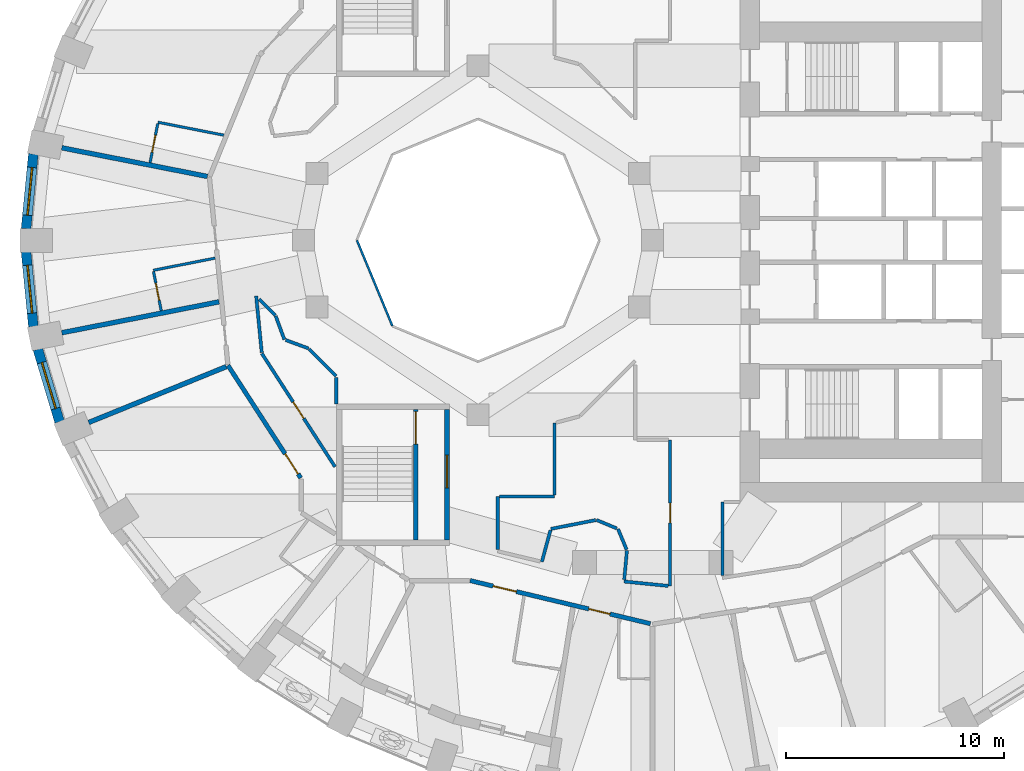
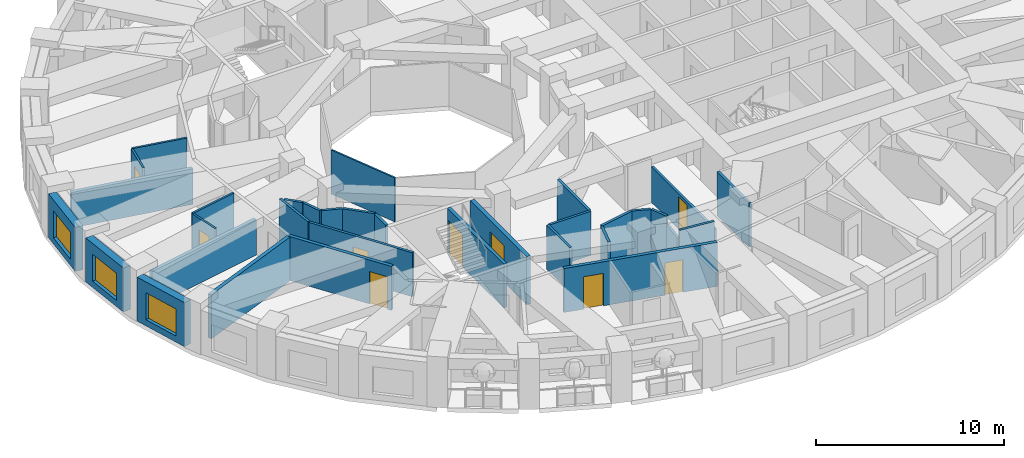
# One storey, part 4 of 13: 33 walls, 9 doors, 3 windows, 12 openings.
"""IFC4 building model written with IfcOpenShell, lengths in metres."""

from ifc_helpers import new_model, si_unit, direction, frame, frame_2d, origin, place, context, subcontext, project, spatial, rectangle, extrude, material, layer, layer_set, type_object, element, fill, save


model = new_model("IFC4")

# Units and contexts
model_context = context("Model", 3, precision=1e-05, world=origin(), true_north=direction((0.0, 1.0)))
body_context = subcontext(model_context, "Body", "Model", "MODEL_VIEW")
ifc_project = project(units=[si_unit("LENGTHUNIT", "METRE"), si_unit("AREAUNIT", "SQUARE_METRE"), si_unit("VOLUMEUNIT", "CUBIC_METRE"), si_unit("PLANEANGLEUNIT", "RADIAN"), si_unit("MASSUNIT", "GRAM", prefix="KILO")], contexts=[model_context])

# Site, building, storey
site_placement = place(None, origin())
site = spatial("IfcSite", under=ifc_project, at=site_placement, CompositionType="ELEMENT")
building_placement = place(site_placement, origin())
building = spatial("IfcBuilding", under=site, at=building_placement, Name="Taillehof Tower", CompositionType="ELEMENT")
storey_placement = place(building_placement, frame((0.0, 0.0, 81.10009765625)))
storey = spatial("IfcBuildingStorey", under=building, at=storey_placement, Name="L22", CompositionType="ELEMENT", Elevation=81.10009765625)

# Wall
ifc_material_1 = material(Name="Fire-resisting glass in steel frame", Category="steel")
ifc_layer_1 = layer(ifc_material_1, 0.10009765625)
ifc_layer_set_1 = layer_set([ifc_layer_1], Name="Atrium fire-resisting screen EI 60 100")
wall_type_1 = type_object("IfcWallType", Name="Atrium fire-resisting screen EI 60 100", PredefinedType="PARTITIONING", material=ifc_layer_set_1)
wall_1_placement = place(storey_placement, frame((-11.92724609375, -3.92724609375, 0.0), z_axis=(0.0, 0.0, 1.0), x_axis=(-0.382730523909, 0.923860025149, 0.0)))
element("IfcWall", 1, at=wall_1_placement, inside=storey, type_object=wall_type_1, Name="Atrium screen", PredefinedType="PARTITIONING", context=body_context, shape_type="SweptSolid", body=[
    extrude(rectangle(XDim=4.2509765625, YDim=0.10009765625, at=frame_2d((2.12548828125, 0.0))), origin(), (0.0, 0.0, 1.0), 2.849853515625),
])

# Wall, opening, window
ifc_material_2 = material(Name="Brick masonry", Category="masonry")
ifc_layer_2 = layer(ifc_material_2, 0.449951171875)
ifc_layer_set_2 = layer_set([ifc_layer_2], Name="Brick infill wall 450")
wall_type_2 = type_object("IfcWallType", Name="Brick infill wall 450", PredefinedType="SOLIDWALL", material=ifc_layer_set_2)
wall_2_placement = place(storey_placement, frame((-28.38671875, 3.95556640625, 0.0), z_axis=(0.0, 0.0, 1.0), x_axis=(-0.097389581596, -0.995246336038, 0.0)))
wall_2 = element("IfcWall", 2, at=wall_2_placement, inside=storey, type_object=wall_type_2, Name="Brick wall L22 bay 18", PredefinedType="SOLIDWALL", context=body_context, shape_type="SweptSolid", body=[
    extrude(rectangle(XDim=3.44189453125, YDim=0.449951171875, at=frame_2d((1.720947265625, 0.0))), origin(), (0.0, 0.0, 1.0), 2.849853515625),
])
opening_1_placement = place(wall_2_placement, frame((0.62109375, 0.0, 0.39990234375)))
opening_1 = element("IfcOpeningElement", 3, at=opening_1_placement, cuts=wall_2, Name="Opening W1", PredefinedType="OPENING", context=body_context, shape_type="SweptSolid", body=[
    extrude(rectangle(XDim=2.199951171875, YDim=1.75, at=frame_2d((1.10009765625, 0.875))), frame((0.0, 0.23486328125, 0.0), z_axis=(0.0, -1.0, 0.0), x_axis=(1.0, 0.0, 0.0)), (0.0, 0.0, 1.0), 0.469970703125),
])
ifc_material_3 = material(Name="Aluminium window frame with clear double glazing", Category="aluminium")
window_type = type_object("IfcWindowType", Name="Deep-set window 2200x1750", PartitioningType="SINGLE_PANEL", PredefinedType="WINDOW", material=ifc_material_3)
window_1_placement = place(opening_1_placement, origin())
window_1 = element("IfcWindow", 4, at=window_1_placement, inside=storey, type_object=window_type, Name="W1", OverallHeight=1.75, OverallWidth=2.199951171875, PartitioningType="SINGLE_PANEL", PredefinedType="WINDOW", context=body_context, shape_type="SweptSolid", body=[
    extrude(rectangle(XDim=2.199951171875, YDim=1.75, at=frame_2d((1.10009765625, 0.875))), frame((0.0, 0.034912109375, 0.0), z_axis=(0.0, -1.0, 0.0), x_axis=(1.0, 0.0, 0.0)), (0.0, 0.0, 1.0), 0.06005859375),
])
fill(opening_1, window_1)

wall_3_placement = place(storey_placement, frame((-28.721923828125, -0.530029296875, 0.0), z_axis=(0.0, 0.0, 1.0), x_axis=(0.097389581596, -0.995246336038, 0.0)))
wall_3 = element("IfcWall", 5, at=wall_3_placement, inside=storey, type_object=wall_type_2, Name="Brick wall L22 bay 19", PredefinedType="SOLIDWALL", context=body_context, shape_type="SweptSolid", body=[
    extrude(rectangle(XDim=3.44189453125, YDim=0.449951171875, at=frame_2d((1.720947265625, 0.0))), origin(), (0.0, 0.0, 1.0), 2.849853515625),
])
opening_2_placement = place(wall_3_placement, frame((0.62109375, 0.0, 0.39990234375)))
opening_2 = element("IfcOpeningElement", 6, at=opening_2_placement, cuts=wall_3, Name="Opening W1", PredefinedType="OPENING", context=body_context, shape_type="SweptSolid", body=[
    extrude(rectangle(XDim=2.199951171875, YDim=1.75, at=frame_2d((1.10009765625, 0.875))), frame((0.0, 0.23486328125, 0.0), z_axis=(0.0, -1.0, 0.0), x_axis=(1.0, 0.0, 0.0)), (0.0, 0.0, 1.0), 0.469970703125),
])
window_2_placement = place(opening_2_placement, origin())
window_2 = element("IfcWindow", 7, at=window_2_placement, inside=storey, type_object=window_type, Name="W1", OverallHeight=1.75, OverallWidth=2.199951171875, PartitioningType="SINGLE_PANEL", PredefinedType="WINDOW", context=body_context, shape_type="SweptSolid", body=[
    extrude(rectangle(XDim=2.199951171875, YDim=1.75, at=frame_2d((1.10009765625, 0.875))), frame((0.0, 0.034912109375, 0.0), z_axis=(0.0, -1.0, 0.0), x_axis=(1.0, 0.0, 0.0)), (0.0, 0.0, 1.0), 0.06005859375),
])
fill(opening_2, window_2)

wall_4_placement = place(storey_placement, frame((-28.181884765625, -4.995849609375, 0.0), z_axis=(0.0, 0.0, 1.0), x_axis=(0.287064133733, -0.957911364963, 0.0)))
wall_4 = element("IfcWall", 8, at=wall_4_placement, inside=storey, type_object=wall_type_2, Name="Brick wall L22 bay 20", PredefinedType="SOLIDWALL", context=body_context, shape_type="SweptSolid", body=[
    extrude(rectangle(XDim=3.473388671875, YDim=0.449951171875, at=frame_2d((1.73681640625, 0.0))), origin(), (0.0, 0.0, 1.0), 2.849853515625),
])
opening_3_placement = place(wall_4_placement, frame((0.63671875, 0.0, 0.39990234375)))
opening_3 = element("IfcOpeningElement", 9, at=opening_3_placement, cuts=wall_4, Name="Opening W1", PredefinedType="OPENING", context=body_context, shape_type="SweptSolid", body=[
    extrude(rectangle(XDim=2.199951171875, YDim=1.75, at=frame_2d((1.10009765625, 0.875))), frame((0.0, 0.23486328125, 0.0), z_axis=(0.0, -1.0, 0.0), x_axis=(1.0, 0.0, 0.0)), (0.0, 0.0, 1.0), 0.469970703125),
])
window_3_placement = place(opening_3_placement, origin())
window_3 = element("IfcWindow", 10, at=window_3_placement, inside=storey, type_object=window_type, Name="W1", OverallHeight=1.75, OverallWidth=2.199951171875, PartitioningType="SINGLE_PANEL", PredefinedType="WINDOW", context=body_context, shape_type="SweptSolid", body=[
    extrude(rectangle(XDim=2.199951171875, YDim=1.75, at=frame_2d((1.10009765625, 0.875))), frame((0.0, 0.034912109375, 0.0), z_axis=(0.0, -1.0, 0.0), x_axis=(1.0, 0.0, 0.0)), (0.0, 0.0, 1.0), 0.06005859375),
])
fill(opening_3, window_3)

# Wall, opening, door
ifc_material_4 = material(Name="Gypsum board on steel studs, two layers each side", Category="steel")
ifc_layer_3 = layer(ifc_material_4, 0.199951171875)
ifc_layer_set_3 = layer_set([ifc_layer_3], Name="Compartment wall corridor 200")
wall_type_3 = type_object("IfcWallType", Name="Compartment wall corridor 200", PredefinedType="PARTITIONING", material=ifc_layer_set_3)
wall_5_placement = place(storey_placement, frame((-16.13232421875, -10.894775390625, 0.0), z_axis=(0.0, 0.0, 1.0), x_axis=(-0.54275375647, 0.839891873897, 0.0)))
wall_5 = element("IfcWall", 11, at=wall_5_placement, inside=storey, type_object=wall_type_3, Name="Compartment wall", PredefinedType="PARTITIONING", context=body_context, shape_type="SweptSolid", body=[
    extrude(rectangle(XDim=6.145751953125, YDim=0.199951171875, at=frame_2d((3.07275390625, 0.0))), origin(), (0.0, 0.0, 1.0), 2.849853515625),
])
opening_4_placement = place(wall_5_placement, frame((0.219970703125, 0.0, 0.0)))
opening_4 = element("IfcOpeningElement", 12, at=opening_4_placement, cuts=wall_5, Name="Opening D2253", PredefinedType="OPENING", context=body_context, shape_type="SweptSolid", body=[
    extrude(rectangle(XDim=1.10009765625, YDim=2.10009765625, at=frame_2d((0.550048828125, 1.050048828125))), frame((0.0, 0.10986328125, 0.0), z_axis=(0.0, -1.0, 0.0), x_axis=(1.0, 0.0, 0.0)), (0.0, 0.0, 1.0), 0.219970703125),
])
ifc_material_5 = material(Name="Timber door leaf in steel frame", Category="steel")
door_type_1 = type_object("IfcDoorType", Name="Suite entrance door EI 30 1100 x 2100", OperationType="SINGLE_SWING_LEFT", PredefinedType="DOOR", material=ifc_material_5)
door_1_placement = place(opening_4_placement, origin())
door_1 = element("IfcDoor", 13, at=door_1_placement, inside=storey, type_object=door_type_1, Name="D2253", OperationType="SINGLE_SWING_LEFT", OverallHeight=2.10009765625, OverallWidth=1.10009765625, PredefinedType="DOOR", context=body_context, shape_type="SweptSolid", body=[
    extrude(rectangle(XDim=1.10009765625, YDim=2.10009765625, at=frame_2d((0.550048828125, 1.050048828125))), frame((0.0, 0.02490234375, 0.0), z_axis=(0.0, -1.0, 0.0), x_axis=(1.0, 0.0, 0.0)), (0.0, 0.0, 1.0), 0.050048828125),
])
fill(opening_4, door_1)

# Wall, openings, doors
wall_6_placement = place(storey_placement, frame((-0.09765625, -17.576904296875, 0.0), z_axis=(0.0, 0.0, 1.0), x_axis=(-0.972591034443, 0.232522428425, 0.0)))
wall_6 = element("IfcWall", 14, at=wall_6_placement, inside=storey, type_object=wall_type_3, Name="Compartment wall", PredefinedType="PARTITIONING", context=body_context, shape_type="SweptSolid", body=[
    extrude(rectangle(XDim=8.50146484375, YDim=0.199951171875, at=frame_2d((4.250732421875, 0.0))), origin(), (0.0, 0.0, 1.0), 2.849853515625),
])
opening_5_placement = place(wall_6_placement, frame((6.317626953125, 0.0, 0.0)))
opening_5 = element("IfcOpeningElement", 15, at=opening_5_placement, cuts=wall_6, Name="Opening D2256", PredefinedType="OPENING", context=body_context, shape_type="SweptSolid", body=[
    extrude(rectangle(XDim=1.10009765625, YDim=2.10009765625, at=frame_2d((0.550048828125, 1.050048828125))), frame((0.0, 0.10986328125, 0.0), z_axis=(0.0, -1.0, 0.0), x_axis=(1.0, 0.0, 0.0)), (0.0, 0.0, 1.0), 0.219970703125),
])
opening_6_placement = place(wall_6_placement, frame((1.909423828125, 0.0, 0.0)))
opening_6 = element("IfcOpeningElement", 16, at=opening_6_placement, cuts=wall_6, Name="Opening D2258", PredefinedType="OPENING", context=body_context, shape_type="SweptSolid", body=[
    extrude(rectangle(XDim=1.0, YDim=2.10009765625, at=frame_2d((0.5, 1.050048828125))), frame((0.0, 0.10986328125, 0.0), z_axis=(0.0, -1.0, 0.0), x_axis=(1.0, 0.0, 0.0)), (0.0, 0.0, 1.0), 0.219970703125),
])
ifc_material_6 = material(Name="Timber door leaf in steel frame", Category="steel")
door_type_2 = type_object("IfcDoorType", Name="Accessible guest room door EI 30 1100 x 2100", OperationType="SINGLE_SWING_LEFT", PredefinedType="DOOR", material=ifc_material_6)
door_2_placement = place(opening_5_placement, origin())
door_2 = element("IfcDoor", 17, at=door_2_placement, inside=storey, type_object=door_type_2, Name="D2256", OperationType="SINGLE_SWING_LEFT", OverallHeight=2.10009765625, OverallWidth=1.10009765625, PredefinedType="DOOR", context=body_context, shape_type="SweptSolid", body=[
    extrude(rectangle(XDim=1.10009765625, YDim=2.10009765625, at=frame_2d((0.550048828125, 1.050048828125))), frame((0.0, 0.02490234375, 0.0), z_axis=(0.0, -1.0, 0.0), x_axis=(1.0, 0.0, 0.0)), (0.0, 0.0, 1.0), 0.050048828125),
])
fill(opening_5, door_2)
ifc_material_7 = material(Name="Timber door leaf in steel frame", Category="steel")
door_type_3 = type_object("IfcDoorType", Name="Guest room door EI 30 1000 x 2100", OperationType="SINGLE_SWING_LEFT", PredefinedType="DOOR", material=ifc_material_7)
door_3_placement = place(opening_6_placement, origin())
door_3 = element("IfcDoor", 18, at=door_3_placement, inside=storey, type_object=door_type_3, Name="D2258", OperationType="SINGLE_SWING_LEFT", OverallHeight=2.10009765625, OverallWidth=1.0, PredefinedType="DOOR", context=body_context, shape_type="SweptSolid", body=[
    extrude(rectangle(XDim=1.0, YDim=2.10009765625, at=frame_2d((0.5, 1.050048828125))), frame((0.0, 0.02490234375, 0.0), z_axis=(0.0, -1.0, 0.0), x_axis=(1.0, 0.0, 0.0)), (0.0, 0.0, 1.0), 0.050048828125),
])
fill(opening_6, door_3)

# Walls
ifc_material_8 = material(Name="Gypsum board on double steel studs with mineral wool", Category="steel")
ifc_layer_4 = layer(ifc_material_8, 0.219970703125)
ifc_layer_set_4 = layer_set([ifc_layer_4], Name="Compartment wall guest room 220")
wall_type_4 = type_object("IfcWallType", Name="Compartment wall guest room 220", PredefinedType="PARTITIONING", material=ifc_layer_set_4)
wall_7_placement = place(storey_placement, frame((-27.0849609375, 4.239990234375, 0.0), z_axis=(0.0, 0.0, 1.0), x_axis=(0.981200805451, -0.192989583608, 0.0)))
element("IfcWall", 19, at=wall_7_placement, inside=storey, type_object=wall_type_4, Name="Compartment wall", PredefinedType="PARTITIONING", context=body_context, shape_type="SweptSolid", body=[
    extrude(rectangle(XDim=6.8046875, YDim=0.219970703125, at=frame_2d((3.40234375, 0.0))), origin(), (0.0, 0.0, 1.0), 2.2998046875),
])
wall_8_placement = place(storey_placement, frame((-27.0849609375, -4.239990234375, 0.0), z_axis=(0.0, 0.0, 1.0), x_axis=(0.981198066788, 0.193003507042, 0.0)))
element("IfcWall", 20, at=wall_8_placement, inside=storey, type_object=wall_type_4, Name="Compartment wall", PredefinedType="PARTITIONING", context=body_context, shape_type="SweptSolid", body=[
    extrude(rectangle(XDim=7.34814453125, YDim=0.219970703125, at=frame_2d((3.674072265625, 0.0))), origin(), (0.0, 0.0, 1.0), 2.2998046875),
])
wall_9_placement = place(storey_placement, frame((-25.851318359375, -8.35400390625, 0.0), z_axis=(0.0, 0.0, 1.0), x_axis=(0.926556482368, 0.376155665892, 0.0)))
element("IfcWall", 21, at=wall_9_placement, inside=storey, type_object=wall_type_4, Name="Compartment wall", PredefinedType="PARTITIONING", context=body_context, shape_type="SweptSolid", body=[
    extrude(rectangle(XDim=6.803955078125, YDim=0.219970703125, at=frame_2d((3.40185546875, 0.0))), origin(), (0.0, 0.0, 1.0), 2.849853515625),
])

# Wall, opening, door
ifc_material_9 = material(Name="Gypsum board on steel studs, two layers each side", Category="steel")
ifc_layer_5 = layer(ifc_material_9, 0.14990234375)
ifc_layer_set_5 = layer_set([ifc_layer_5], Name="Compartment wall service room 150")
wall_type_5 = type_object("IfcWallType", Name="Compartment wall service room 150", PredefinedType="PARTITIONING", material=ifc_layer_set_5)
wall_10_placement = place(storey_placement, frame((-14.557373046875, -10.38427734375, 0.0), z_axis=(0.0, 0.0, 1.0), x_axis=(-0.542717528168, 0.839915284192, 0.0)))
wall_10 = element("IfcWall", 22, at=wall_10_placement, inside=storey, type_object=wall_type_5, Name="Compartment wall", PredefinedType="PARTITIONING", context=body_context, shape_type="SweptSolid", body=[
    extrude(rectangle(XDim=6.18408203125, YDim=0.14990234375, at=frame_2d((3.092041015625, 0.0))), origin(), (0.0, 0.0, 1.0), 2.849853515625),
])
opening_7_placement = place(wall_10_placement, frame((2.64208984375, 0.0, 0.0)))
opening_7 = element("IfcOpeningElement", 23, at=opening_7_placement, cuts=wall_10, Name="Opening D2271", PredefinedType="OPENING", context=body_context, shape_type="SweptSolid", body=[
    extrude(rectangle(XDim=0.89990234375, YDim=2.10009765625, at=frame_2d((0.449951171875, 1.050048828125))), frame((0.0, 0.0849609375, 0.0), z_axis=(0.0, -1.0, 0.0), x_axis=(1.0, 0.0, 0.0)), (0.0, 0.0, 1.0), 0.169921875),
])
ifc_material_10 = material(Name="Timber door leaf in steel frame", Category="steel")
door_type_4 = type_object("IfcDoorType", Name="Service room door EI 30 900 x 2100", OperationType="SINGLE_SWING_LEFT", PredefinedType="DOOR", material=ifc_material_10)
door_4_placement = place(opening_7_placement, origin())
door_4 = element("IfcDoor", 24, at=door_4_placement, inside=storey, type_object=door_type_4, Name="D2271", OperationType="SINGLE_SWING_LEFT", OverallHeight=2.10009765625, OverallWidth=0.89990234375, PredefinedType="DOOR", context=body_context, shape_type="SweptSolid", body=[
    extrude(rectangle(XDim=0.89990234375, YDim=2.10009765625, at=frame_2d((0.449951171875, 1.050048828125))), frame((0.0, 0.02490234375, 0.0), z_axis=(0.0, -1.0, 0.0), x_axis=(1.0, 0.0, 0.0)), (0.0, 0.0, 1.0), 0.050048828125),
])
fill(opening_7, door_4)

# Walls
wall_11_placement = place(storey_placement, frame((-17.91748046875, -5.150146484375, 0.0), z_axis=(0.0, 0.0, 1.0), x_axis=(-0.098011382053, 0.995185293796, 0.0)))
element("IfcWall", 25, at=wall_11_placement, inside=storey, type_object=wall_type_5, Name="Compartment wall", PredefinedType="PARTITIONING", context=body_context, shape_type="SweptSolid", body=[
    extrude(rectangle(XDim=2.60791015625, YDim=0.14990234375, at=frame_2d((1.303955078125, 0.0))), origin(), (0.0, 0.0, 1.0), 2.849853515625),
])
wall_12_placement = place(storey_placement, frame((-18.031494140625, -2.6962890625, 0.0), z_axis=(0.0, 0.0, 1.0), x_axis=(0.706990221924, -0.707223321239, 0.0)))
element("IfcWall", 26, at=wall_12_placement, inside=storey, type_object=wall_type_5, Name="Compartment wall", PredefinedType="PARTITIONING", context=body_context, shape_type="SweptSolid", body=[
    extrude(rectangle(XDim=1.04736328125, YDim=0.14990234375, at=frame_2d((0.523681640625, 0.0))), origin(), (0.0, 0.0, 1.0), 2.849853515625),
])
wall_13_placement = place(storey_placement, frame((-17.27734375, -3.474609375, 0.0), z_axis=(0.0, 0.0, 1.0), x_axis=(0.345498312946, -0.938419370938, 0.0)))
element("IfcWall", 27, at=wall_13_placement, inside=storey, type_object=wall_type_5, Name="Compartment wall", PredefinedType="PARTITIONING", context=body_context, shape_type="SweptSolid", body=[
    extrude(rectangle(XDim=1.1474609375, YDim=0.14990234375, at=frame_2d((0.57373046875, 0.0))), origin(), (0.0, 0.0, 1.0), 2.849853515625),
])
wall_14_placement = place(storey_placement, frame((-16.824462890625, -4.572021484375, 0.0), z_axis=(0.0, 0.0, 1.0), x_axis=(0.938465057683, -0.345374196355, 0.0)))
element("IfcWall", 28, at=wall_14_placement, inside=storey, type_object=wall_type_5, Name="Compartment wall", PredefinedType="PARTITIONING", context=body_context, shape_type="SweptSolid", body=[
    extrude(rectangle(XDim=1.12744140625, YDim=0.14990234375, at=frame_2d((0.563720703125, 0.0))), origin(), (0.0, 0.0, 1.0), 2.849853515625),
])
wall_15_placement = place(storey_placement, frame((-15.738037109375, -4.98974609375, 0.0), z_axis=(0.0, 0.0, 1.0), x_axis=(0.707037063979, -0.707176491521, 0.0)))
element("IfcWall", 29, at=wall_15_placement, inside=storey, type_object=wall_type_5, Name="Compartment wall", PredefinedType="PARTITIONING", context=body_context, shape_type="SweptSolid", body=[
    extrude(rectangle(XDim=1.7509765625, YDim=0.14990234375, at=frame_2d((0.87548828125, 0.0))), origin(), (0.0, 0.0, 1.0), 2.849853515625),
])
wall_16_placement = place(storey_placement, frame((-14.5, -6.2880859375, 0.0), z_axis=(0.0, 0.0, 1.0), x_axis=(0.0, -1.0, 0.0)))
element("IfcWall", 30, at=wall_16_placement, inside=storey, type_object=wall_type_5, Name="Compartment wall", PredefinedType="PARTITIONING", context=body_context, shape_type="SweptSolid", body=[
    extrude(rectangle(XDim=1.212890625, YDim=0.14990234375, at=frame_2d((0.6064453125, 0.0))), origin(), (0.0, 0.0, 1.0), 2.849853515625),
])

# Wall, opening, door
wall_17_placement = place(storey_placement, frame((0.800048828125, -9.14990234375, 0.0), z_axis=(0.0, 0.0, 1.0), x_axis=(0.0, -1.0, 0.0)))
wall_17 = element("IfcWall", 31, at=wall_17_placement, inside=storey, type_object=wall_type_5, Name="Compartment wall", PredefinedType="PARTITIONING", context=body_context, shape_type="SweptSolid", body=[
    extrude(rectangle(XDim=6.7041015625, YDim=0.14990234375, at=frame_2d((3.35205078125, 0.0))), origin(), (0.0, 0.0, 1.0), 2.2998046875),
])
opening_8_placement = place(wall_17_placement, frame((2.902099609375, 0.0, 0.0)))
opening_8 = element("IfcOpeningElement", 32, at=opening_8_placement, cuts=wall_17, Name="Opening D2272", PredefinedType="OPENING", context=body_context, shape_type="SweptSolid", body=[
    extrude(rectangle(XDim=0.89990234375, YDim=2.10009765625, at=frame_2d((0.449951171875, 1.050048828125))), frame((0.0, 0.0849609375, 0.0), z_axis=(0.0, -1.0, 0.0), x_axis=(1.0, 0.0, 0.0)), (0.0, 0.0, 1.0), 0.169921875),
])
door_5_placement = place(opening_8_placement, origin())
door_5 = element("IfcDoor", 33, at=door_5_placement, inside=storey, type_object=door_type_4, Name="D2272", OperationType="SINGLE_SWING_RIGHT", OverallHeight=2.10009765625, OverallWidth=0.89990234375, PredefinedType="DOOR", context=body_context, shape_type="SweptSolid", body=[
    extrude(rectangle(XDim=0.89990234375, YDim=2.10009765625, at=frame_2d((0.449951171875, 1.050048828125))), frame((0.0, 0.02490234375, 0.0), z_axis=(0.0, -1.0, 0.0), x_axis=(1.0, 0.0, 0.0)), (0.0, 0.0, 1.0), 0.050048828125),
])
fill(opening_8, door_5)

# Walls
wall_18_placement = place(storey_placement, frame((0.719970703125, -15.84619140625, 0.0), z_axis=(0.0, 0.0, 1.0), x_axis=(-0.994975339981, 0.100120291794, 0.0)))
element("IfcWall", 34, at=wall_18_placement, inside=storey, type_object=wall_type_5, Name="Compartment wall", PredefinedType="PARTITIONING", context=body_context, shape_type="SweptSolid", body=[
    extrude(rectangle(XDim=2.03857421875, YDim=0.14990234375, at=frame_2d((1.019287109375, 0.0))), origin(), (0.0, 0.0, 1.0), 2.849853515625),
])
wall_19_placement = place(storey_placement, frame((-1.300537109375, -15.56201171875, 0.0), z_axis=(0.0, 0.0, 1.0), x_axis=(0.092711214224, 0.995693040428, 0.0)))
element("IfcWall", 35, at=wall_19_placement, inside=storey, type_object=wall_type_5, Name="Compartment wall", PredefinedType="PARTITIONING", context=body_context, shape_type="SweptSolid", body=[
    extrude(rectangle(XDim=1.345703125, YDim=0.14990234375, at=frame_2d((0.6728515625, 0.0))), origin(), (0.0, 0.0, 1.0), 2.2998046875),
])
wall_20_placement = place(storey_placement, frame((-1.19091796875, -14.18505859375, 0.0), z_axis=(0.0, 0.0, 1.0), x_axis=(-0.382748986126, 0.92385237653, 0.0)))
element("IfcWall", 36, at=wall_20_placement, inside=storey, type_object=wall_type_5, Name="Compartment wall", PredefinedType="PARTITIONING", context=body_context, shape_type="SweptSolid", body=[
    extrude(rectangle(XDim=1.031494140625, YDim=0.14990234375, at=frame_2d((0.515625, 0.0))), origin(), (0.0, 0.0, 1.0), 2.849853515625),
])
wall_21_placement = place(storey_placement, frame((-1.641357421875, -13.20947265625, 0.0), z_axis=(0.0, 0.0, 1.0), x_axis=(-0.923725449546, 0.383055209937, 0.0)))
element("IfcWall", 37, at=wall_21_placement, inside=storey, type_object=wall_type_5, Name="Compartment wall", PredefinedType="PARTITIONING", context=body_context, shape_type="SweptSolid", body=[
    extrude(rectangle(XDim=1.011474609375, YDim=0.14990234375, at=frame_2d((0.505859375, 0.0))), origin(), (0.0, 0.0, 1.0), 2.849853515625),
])
wall_22_placement = place(storey_placement, frame((-2.61474609375, -12.829833984375, 0.0), z_axis=(0.0, 0.0, 1.0), x_axis=(-0.981297312652, -0.192498270593, 0.0)))
element("IfcWall", 38, at=wall_22_placement, inside=storey, type_object=wall_type_5, Name="Compartment wall", PredefinedType="PARTITIONING", context=body_context, shape_type="SweptSolid", body=[
    extrude(rectangle(XDim=2.090087890625, YDim=0.14990234375, at=frame_2d((1.044921875, 0.0))), origin(), (0.0, 0.0, 1.0), 2.849853515625),
])
wall_23_placement = place(storey_placement, frame((-4.68115234375, -13.2900390625, 0.0), z_axis=(0.0, 0.0, 1.0), x_axis=(-0.26230696824, -0.964984484027, 0.0)))
element("IfcWall", 39, at=wall_23_placement, inside=storey, type_object=wall_type_5, Name="Compartment wall", PredefinedType="PARTITIONING", context=body_context, shape_type="SweptSolid", body=[
    extrude(rectangle(XDim=1.504150390625, YDim=0.14990234375, at=frame_2d((0.751953125, 0.0))), origin(), (0.0, 0.0, 1.0), 2.849853515625),
])
wall_24_placement = place(storey_placement, frame((-7.10009765625, -14.177490234375, 0.0), z_axis=(0.0, 0.0, 1.0), x_axis=(0.0, 1.0, 0.0)))
element("IfcWall", 40, at=wall_24_placement, inside=storey, type_object=wall_type_5, Name="Compartment wall", PredefinedType="PARTITIONING", context=body_context, shape_type="SweptSolid", body=[
    extrude(rectangle(XDim=2.427490234375, YDim=0.14990234375, at=frame_2d((1.2138671875, 0.0))), origin(), (0.0, 0.0, 1.0), 2.849853515625),
])
wall_25_placement = place(storey_placement, frame((-7.02001953125, -11.75, 0.0), z_axis=(0.0, 0.0, 1.0), x_axis=(1.0, 0.0, 0.0)))
element("IfcWall", 41, at=wall_25_placement, inside=storey, type_object=wall_type_5, Name="Compartment wall", PredefinedType="PARTITIONING", context=body_context, shape_type="SweptSolid", body=[
    extrude(rectangle(XDim=2.52001953125, YDim=0.14990234375, at=frame_2d((1.260009765625, 0.0))), origin(), (0.0, 0.0, 1.0), 2.849853515625),
])
wall_26_placement = place(storey_placement, frame((-4.5, -11.669921875, 0.0), z_axis=(0.0, 0.0, 1.0), x_axis=(0.0, 1.0, 0.0)))
element("IfcWall", 42, at=wall_26_placement, inside=storey, type_object=wall_type_5, Name="Compartment wall", PredefinedType="PARTITIONING", context=body_context, shape_type="SweptSolid", body=[
    extrude(rectangle(XDim=3.290283203125, YDim=0.14990234375, at=frame_2d((1.64501953125, 0.0))), origin(), (0.0, 0.0, 1.0), 2.849853515625),
])
wall_27_placement = place(storey_placement, frame((3.199951171875, -15.375244140625, 0.0), z_axis=(0.0, 0.0, 1.0), x_axis=(0.0, 1.0, 0.0)))
element("IfcWall", 43, at=wall_27_placement, inside=storey, type_object=wall_type_5, Name="Compartment wall", PredefinedType="PARTITIONING", context=body_context, shape_type="SweptSolid", body=[
    extrude(rectangle(XDim=3.375244140625, YDim=0.14990234375, at=frame_2d((1.6875, 0.0))), origin(), (0.0, 0.0, 1.0), 2.849853515625),
])
ifc_material_11 = material(Name="Gypsum board on steel studs, moisture resistant", Category="steel")
ifc_layer_6 = layer(ifc_material_11, 0.1201171875)
ifc_layer_set_6 = layer_set([ifc_layer_6], Name="En-suite wall 120")
wall_type_6 = type_object("IfcWallType", Name="En-suite wall 120", PredefinedType="PARTITIONING", material=ifc_layer_set_6)
wall_28_placement = place(storey_placement, frame((-19.662109375, 4.818603515625, 0.0), z_axis=(0.0, 0.0, 1.0), x_axis=(-0.981227049162, 0.192856106963, 0.0)))
element("IfcWall", 44, at=wall_28_placement, inside=storey, type_object=wall_type_6, Name="En-suite wall", PredefinedType="PARTITIONING", context=body_context, shape_type="SweptSolid", body=[
    extrude(rectangle(XDim=3.068603515625, YDim=0.1201171875, at=frame_2d((1.5341796875, 0.0))), origin(), (0.0, 0.0, 1.0), 2.849853515625),
])
wall_29_placement = place(storey_placement, frame((-20.05224609375, -0.818359375, 0.0), z_axis=(0.0, 0.0, 1.0), x_axis=(-0.981205462312, -0.192965905613, 0.0)))
element("IfcWall", 45, at=wall_29_placement, inside=storey, type_object=wall_type_6, Name="En-suite wall", PredefinedType="PARTITIONING", context=body_context, shape_type="SweptSolid", body=[
    extrude(rectangle(XDim=2.892333984375, YDim=0.1201171875, at=frame_2d((1.4462890625, 0.0))), origin(), (0.0, 0.0, 1.0), 2.849853515625),
])

# Wall, opening, door
wall_30_placement = place(storey_placement, frame((-22.684814453125, 5.351806640625, 0.0), z_axis=(0.0, 0.0, 1.0), x_axis=(-0.192908160061, -0.981216816907, 0.0)))
wall_30 = element("IfcWall", 46, at=wall_30_placement, inside=storey, type_object=wall_type_6, Name="En-suite wall", PredefinedType="PARTITIONING", context=body_context, shape_type="SweptSolid", body=[
    extrude(rectangle(XDim=1.830078125, YDim=0.1201171875, at=frame_2d((0.9150390625, 0.0))), origin(), (0.0, 0.0, 1.0), 2.849853515625),
])
opening_9_placement = place(wall_30_placement, frame((0.5400390625, 0.0, 0.0)))
opening_9 = element("IfcOpeningElement", 47, at=opening_9_placement, cuts=wall_30, Name="Opening D2249", PredefinedType="OPENING", context=body_context, shape_type="SweptSolid", body=[
    extrude(rectangle(XDim=0.800048828125, YDim=2.10009765625, at=frame_2d((0.39990234375, 1.050048828125))), frame((0.0, 0.070068359375, 0.0), z_axis=(0.0, -1.0, 0.0), x_axis=(1.0, 0.0, 0.0)), (0.0, 0.0, 1.0), 0.14013671875),
])
ifc_material_12 = material(Name="Timber door leaf in steel frame", Category="steel")
door_type_5 = type_object("IfcDoorType", Name="En-suite door 800 x 2100", OperationType="SINGLE_SWING_LEFT", PredefinedType="DOOR", material=ifc_material_12)
door_6_placement = place(opening_9_placement, origin())
door_6 = element("IfcDoor", 48, at=door_6_placement, inside=storey, type_object=door_type_5, Name="D2249", OperationType="SINGLE_SWING_LEFT", OverallHeight=2.10009765625, OverallWidth=0.800048828125, PredefinedType="DOOR", context=body_context, shape_type="SweptSolid", body=[
    extrude(rectangle(XDim=0.800048828125, YDim=2.10009765625, at=frame_2d((0.39990234375, 1.050048828125))), frame((0.0, 0.02490234375, 0.0), z_axis=(0.0, -1.0, 0.0), x_axis=(1.0, 0.0, 0.0)), (0.0, 0.0, 1.0), 0.050048828125),
])
fill(opening_9, door_6)

wall_31_placement = place(storey_placement, frame((-22.878662109375, -1.435302734375, 0.0), z_axis=(0.0, 0.0, 1.0), x_axis=(0.193036598643, -0.981191557029, 0.0)))
wall_31 = element("IfcWall", 49, at=wall_31_placement, inside=storey, type_object=wall_type_6, Name="En-suite wall", PredefinedType="PARTITIONING", context=body_context, shape_type="SweptSolid", body=[
    extrude(rectangle(XDim=1.830078125, YDim=0.1201171875, at=frame_2d((0.9150390625, 0.0))), origin(), (0.0, 0.0, 1.0), 2.849853515625),
])
opening_10_placement = place(wall_31_placement, frame((0.5400390625, 0.0, 0.0)))
opening_10 = element("IfcOpeningElement", 50, at=opening_10_placement, cuts=wall_31, Name="Opening D2251", PredefinedType="OPENING", context=body_context, shape_type="SweptSolid", body=[
    extrude(rectangle(XDim=0.800048828125, YDim=2.10009765625, at=frame_2d((0.39990234375, 1.050048828125))), frame((0.0, 0.070068359375, 0.0), z_axis=(0.0, -1.0, 0.0), x_axis=(1.0, 0.0, 0.0)), (0.0, 0.0, 1.0), 0.14013671875),
])
door_7_placement = place(opening_10_placement, origin())
door_7 = element("IfcDoor", 51, at=door_7_placement, inside=storey, type_object=door_type_5, Name="D2251", OperationType="SINGLE_SWING_LEFT", OverallHeight=2.10009765625, OverallWidth=0.800048828125, PredefinedType="DOOR", context=body_context, shape_type="SweptSolid", body=[
    extrude(rectangle(XDim=0.800048828125, YDim=2.10009765625, at=frame_2d((0.39990234375, 1.050048828125))), frame((0.0, 0.02490234375, 0.0), z_axis=(0.0, -1.0, 0.0), x_axis=(1.0, 0.0, 0.0)), (0.0, 0.0, 1.0), 0.050048828125),
])
fill(opening_10, door_7)

ifc_material_13 = material(Name="Concrete C50/60", Category="concrete")
ifc_layer_7 = layer(ifc_material_13, 0.199951171875)
ifc_layer_set_7 = layer_set([ifc_layer_7], Name="Shaft wall C50/60 200")
wall_type_7 = type_object("IfcWallType", Name="Shaft wall C50/60 200", PredefinedType="SHEAR", material=ifc_layer_set_7)
wall_32_placement = place(storey_placement, frame((-10.85009765625, -13.75, 0.0), z_axis=(0.0, 0.0, 1.0), x_axis=(0.0, 1.0, 0.0)))
wall_32 = element("IfcWall", 52, at=wall_32_placement, inside=storey, type_object=wall_type_7, Name="Shaft wall SW", PredefinedType="SHEAR", context=body_context, shape_type="SweptSolid", body=[
    extrude(rectangle(XDim=6.0, YDim=0.199951171875, at=frame_2d((3.0, 0.0))), origin(), (0.0, 0.0, 1.0), 2.849853515625),
])
opening_11_placement = place(wall_32_placement, frame((4.39990234375, 0.0, 0.0)))
opening_11 = element("IfcOpeningElement", 53, at=opening_11_placement, cuts=wall_32, Name="Opening D2213", PredefinedType="OPENING", context=body_context, shape_type="SweptSolid", body=[
    extrude(rectangle(XDim=1.5, YDim=2.10009765625, at=frame_2d((0.75, 1.050048828125))), frame((0.0, 0.10986328125, 0.0), z_axis=(0.0, -1.0, 0.0), x_axis=(1.0, 0.0, 0.0)), (0.0, 0.0, 1.0), 0.219970703125),
])
ifc_material_14 = material(Name="Steel-faced fire door", Category="steel")
door_type_6 = type_object("IfcDoorType", Name="Stair door 1500x2100", OperationType="DOUBLE_DOOR_SINGLE_SWING", PredefinedType="DOOR", material=ifc_material_14)
door_8_placement = place(opening_11_placement, origin())
door_8 = element("IfcDoor", 54, at=door_8_placement, inside=storey, type_object=door_type_6, Name="Stair lobby door S4", OperationType="DOUBLE_DOOR_SINGLE_SWING", OverallHeight=2.10009765625, OverallWidth=1.5, PredefinedType="DOOR", context=body_context, shape_type="SweptSolid", body=[
    extrude(rectangle(XDim=1.5, YDim=2.10009765625, at=frame_2d((0.75, 1.050048828125))), frame((0.0, 0.02490234375, 0.0), z_axis=(0.0, -1.0, 0.0), x_axis=(1.0, 0.0, 0.0)), (0.0, 0.0, 1.0), 0.050048828125),
])
fill(opening_11, door_8)

ifc_material_15 = material(Name="Concrete C50/60", Category="concrete")
ifc_layer_8 = layer(ifc_material_15, 0.25)
ifc_layer_set_8 = layer_set([ifc_layer_8], Name="Stair wall C50/60 250")
wall_type_8 = type_object("IfcWallType", Name="Stair wall C50/60 250", PredefinedType="SHEAR", material=ifc_layer_set_8)
wall_33_placement = place(storey_placement, frame((-9.425048828125, -13.75, -0.280029296875), z_axis=(0.0, 0.0, 1.0), x_axis=(0.0, 1.0, 0.0)))
wall_33 = element("IfcWall", 55, at=wall_33_placement, inside=storey, type_object=wall_type_8, Name="Stair wall SC", PredefinedType="SHEAR", context=body_context, shape_type="SweptSolid", body=[
    extrude(rectangle(XDim=6.0, YDim=0.25, at=frame_2d((3.0, 0.0))), origin(), (0.0, 0.0, 1.0), 3.1298828125),
])
opening_12_placement = place(wall_33_placement, frame((2.39990234375, 0.0, 0.280029296875)))
opening_12 = element("IfcOpeningElement", 56, at=opening_12_placement, cuts=wall_33, Name="Opening D2220", PredefinedType="OPENING", context=body_context, shape_type="SweptSolid", body=[
    extrude(rectangle(XDim=1.5, YDim=2.10009765625, at=frame_2d((0.75, 1.050048828125))), frame((0.0, 0.135009765625, 0.0), z_axis=(0.0, -1.0, 0.0), x_axis=(1.0, 0.0, 0.0)), (0.0, 0.0, 1.0), 0.27001953125),
])
door_9_placement = place(opening_12_placement, origin())
door_9 = element("IfcDoor", 57, at=door_9_placement, inside=storey, type_object=door_type_6, Name="Stair door S4", OperationType="DOUBLE_DOOR_SINGLE_SWING", OverallHeight=2.10009765625, OverallWidth=1.5, PredefinedType="DOOR", context=body_context, shape_type="SweptSolid", body=[
    extrude(rectangle(XDim=1.5, YDim=2.10009765625, at=frame_2d((0.75, 1.050048828125))), frame((0.0, 0.02490234375, 0.0), z_axis=(0.0, -1.0, 0.0), x_axis=(1.0, 0.0, 0.0)), (0.0, 0.0, 1.0), 0.050048828125),
])
fill(opening_12, door_9)

save(model, "model.ifc")
